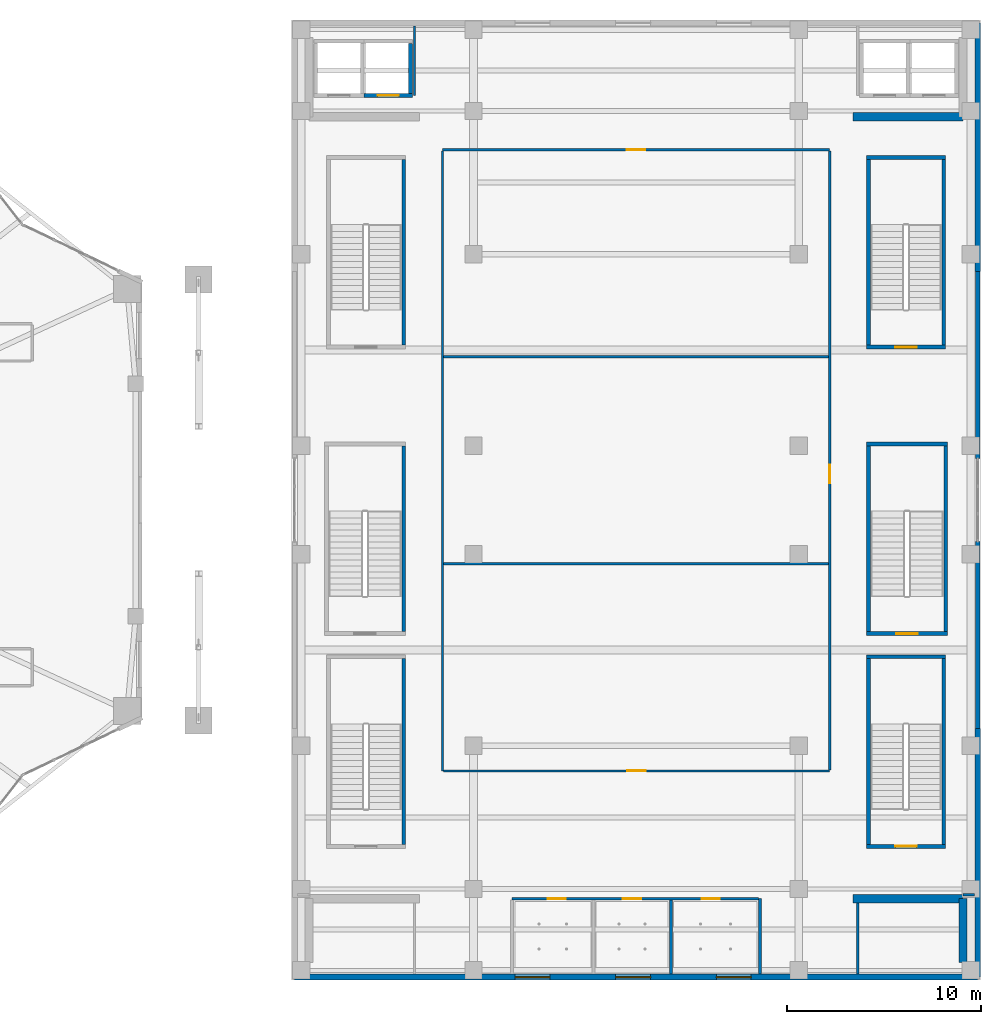
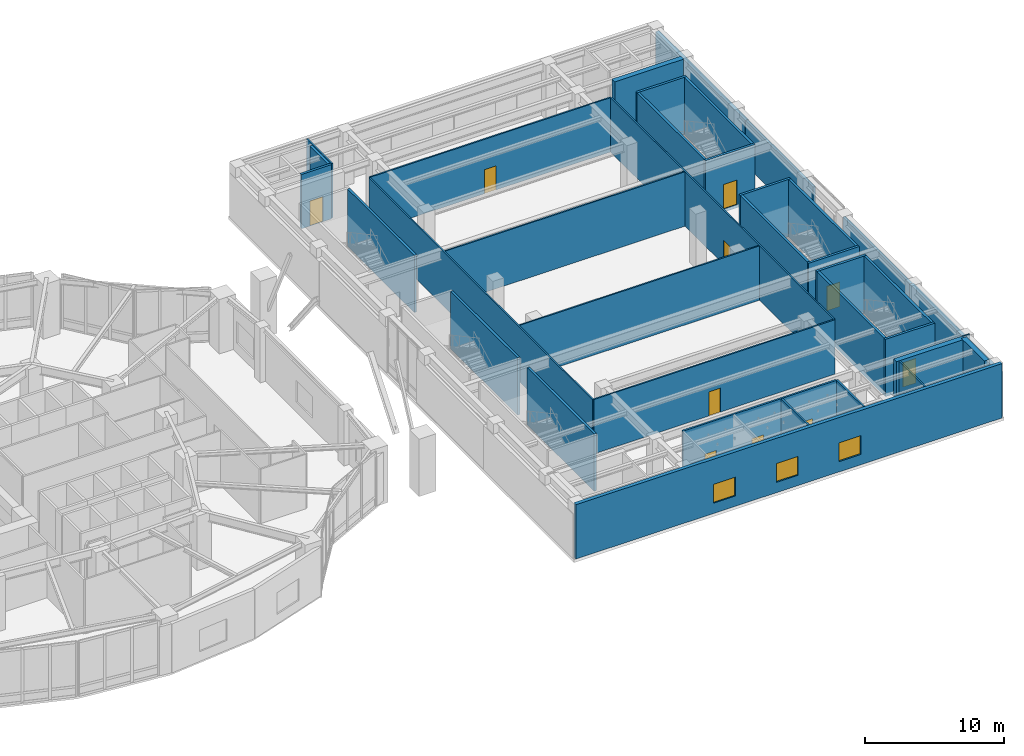
# One storey, part 18 of 24: 37 walls, 10 doors, 3 windows, 13 openings.
"""IFC4 building model written with IfcOpenShell, lengths in metres."""

from ifc_helpers import new_model, si_unit, direction, frame, frame_2d, origin, place, context, subcontext, project, spatial, rectangle, extrude, material, layer, layer_set, type_object, element, fill, save


model = new_model("IFC4")

# Units and contexts
model_context = context("Model", 3, precision=1e-05, world=origin(), true_north=direction((0.0, 1.0)))
body_context = subcontext(model_context, "Body", "Model", "MODEL_VIEW")
ifc_project = project(units=[si_unit("LENGTHUNIT", "METRE"), si_unit("AREAUNIT", "SQUARE_METRE"), si_unit("VOLUMEUNIT", "CUBIC_METRE"), si_unit("PLANEANGLEUNIT", "RADIAN"), si_unit("MASSUNIT", "GRAM", prefix="KILO")], contexts=[model_context])

# Site, building, storey
site_placement = place(None, origin())
site = spatial("IfcSite", under=ifc_project, at=site_placement, CompositionType="ELEMENT")
building_placement = place(site_placement, origin())
building = spatial("IfcBuilding", under=site, at=building_placement, Name="Kolvaren Gate Tower and Convention Centre", CompositionType="ELEMENT")
storey_placement = place(building_placement, frame((0.0, 0.0, 10.0)))
storey = spatial("IfcBuildingStorey", under=building, at=storey_placement, Name="L02", CompositionType="ELEMENT", Elevation=10.0)

# Walls
ifc_material_1 = material(Name="Fire-Rated Acoustic Gypsum Stud Partition", Category="gypsum")
ifc_layer_1 = layer(ifc_material_1, 0.1201171875)
ifc_layer_set_1 = layer_set([ifc_layer_1], Name="Fire-Rated Acoustic Gypsum Stud Partition")
wall_type_1 = type_object("IfcWallType", Name="ARCH-WL-PART-120", PredefinedType="PARTITIONING", material=ifc_layer_set_1)
wall_1_placement = place(storey_placement, frame((96.89990234375, 6.60009765625, 0.0), z_axis=(0.0, 0.0, 1.0), x_axis=(1.0, 0.0, 0.0)))
element("IfcWall", 1, at=wall_1_placement, inside=storey, type_object=wall_type_1, Name="Interior Partition WL-L02-INT-048", PredefinedType="PARTITIONING", context=body_context, shape_type="SweptSolid", body=[
    extrude(rectangle(XDim=0.59814453125, YDim=0.1201171875, at=frame_2d((0.299072265625, 0.0))), origin(), (0.0, 0.0, 1.0), 4.760009765625),
])
wall_2_placement = place(storey_placement, frame((68.550048828125, 47.89990234375, 0.0), z_axis=(0.0, 0.0, 1.0), x_axis=(0.0, 1.0, 0.0)))
element("IfcWall", 2, at=wall_2_placement, inside=storey, type_object=wall_type_1, Name="Interior Partition WL-L02-INT-050", PredefinedType="PARTITIONING", context=body_context, shape_type="SweptSolid", body=[
    extrude(rectangle(XDim=3.59814453125, YDim=0.1201171875, at=frame_2d((1.799072265625, 0.0))), origin(), (0.0, 0.0, 1.0), 4.760009765625),
])
wall_3_placement = place(storey_placement, frame((91.449951171875, 2.501953125, 0.0), z_axis=(0.0, 0.0, 1.0), x_axis=(0.0, 1.0, 0.0)))
element("IfcWall", 3, at=wall_3_placement, inside=storey, type_object=wall_type_1, Name="Interior Partition WL-L02-INT-051", PredefinedType="PARTITIONING", context=body_context, shape_type="SweptSolid", body=[
    extrude(rectangle(XDim=3.68603515625, YDim=0.1201171875, at=frame_2d((1.843017578125, 0.0))), origin(), (0.0, 0.0, 1.0), 4.760009765625),
])

# Wall, opening, door
wall_4_placement = place(storey_placement, frame((70.0, 45.10009765625, 0.0), z_axis=(0.0, 0.0, 1.0), x_axis=(1.0, 0.0, 0.0)))
wall_4 = element("IfcWall", 4, at=wall_4_placement, inside=storey, type_object=wall_type_1, Name="Interior Partition WL-L02-INT-056", PredefinedType="PARTITIONING", context=body_context, shape_type="SweptSolid", body=[
    extrude(rectangle(XDim=20.0, YDim=0.1201171875, at=frame_2d((10.0, 0.0))), origin(), (0.0, 0.0, 1.0), 4.760009765625),
])
opening_1_placement = place(wall_4_placement, frame((9.52490234375, 0.0, 0.0)))
opening_1 = element("IfcOpeningElement", 5, at=opening_1_placement, cuts=wall_4, Name="Opening DR-01", PredefinedType="OPENING", context=body_context, shape_type="SweptSolid", body=[
    extrude(rectangle(XDim=0.949951171875, YDim=2.10009765625, at=frame_2d((0.47509765625, 1.050048828125))), frame((0.0, 0.070068359375, 0.0), z_axis=(0.0, -1.0, 0.0), x_axis=(1.0, 0.0, 0.0)), (0.0, 0.0, 1.0), 0.14013671875),
])
ifc_material_2 = material(Name="Painted Architectural Steelwork ASTM A500 Grade C 345 MPa", Category="steel")
door_type_1 = type_object("IfcDoorType", Name="ARCH-DR-RISER-950", OperationType="SINGLE_SWING_RIGHT", PredefinedType="DOOR", material=ifc_material_2)
door_1_placement = place(opening_1_placement, origin())
door_1 = element("IfcDoor", 6, at=door_1_placement, inside=storey, type_object=door_type_1, Name="Simultaneous Interpretation Conference Room 3 Door", OperationType="SINGLE_SWING_LEFT", OverallHeight=2.10009765625, OverallWidth=0.949951171875, PredefinedType="DOOR", context=body_context, shape_type="SweptSolid", body=[
    extrude(rectangle(XDim=0.949951171875, YDim=2.10009765625, at=frame_2d((0.47509765625, 1.050048828125))), frame((0.0, 0.02490234375, 0.0), z_axis=(0.0, -1.0, 0.0), x_axis=(1.0, 0.0, 0.0)), (0.0, 0.0, 1.0), 0.050048828125),
])
fill(opening_1, door_1)

# Wall
wall_5_placement = place(storey_placement, frame((70.0, 13.0, 0.0), z_axis=(0.0, 0.0, 1.0), x_axis=(0.0, 1.0, 0.0)))
element("IfcWall", 7, at=wall_5_placement, inside=storey, type_object=wall_type_1, Name="Interior Partition WL-L02-INT-057", PredefinedType="PARTITIONING", context=body_context, shape_type="SweptSolid", body=[
    extrude(rectangle(XDim=32.0380859375, YDim=0.1201171875, at=frame_2d((16.01904296875, 0.0))), origin(), (0.0, 0.0, 1.0), 4.760009765625),
])

# Wall, opening, door
wall_6_placement = place(storey_placement, frame((70.06201171875, 13.0, 0.0), z_axis=(0.0, 0.0, 1.0), x_axis=(1.0, 0.0, 0.0)))
wall_6 = element("IfcWall", 8, at=wall_6_placement, inside=storey, type_object=wall_type_1, Name="Interior Partition WL-L02-INT-058", PredefinedType="PARTITIONING", context=body_context, shape_type="SweptSolid", body=[
    extrude(rectangle(XDim=19.93798828125, YDim=0.1201171875, at=frame_2d((9.968994140625, 0.0))), origin(), (0.0, 0.0, 1.0), 4.760009765625),
])
opening_2_placement = place(wall_6_placement, frame((9.493896484375, 0.0, 0.0)))
opening_2 = element("IfcOpeningElement", 9, at=opening_2_placement, cuts=wall_6, Name="Opening DR-01", PredefinedType="OPENING", context=body_context, shape_type="SweptSolid", body=[
    extrude(rectangle(XDim=0.949951171875, YDim=2.10009765625, at=frame_2d((0.47509765625, 1.050048828125))), frame((0.0, 0.070068359375, 0.0), z_axis=(0.0, -1.0, 0.0), x_axis=(1.0, 0.0, 0.0)), (0.0, 0.0, 1.0), 0.14013671875),
])
door_2_placement = place(opening_2_placement, origin())
door_2 = element("IfcDoor", 10, at=door_2_placement, inside=storey, type_object=door_type_1, Name="Simultaneous Interpretation Conference Room 1 Door", OperationType="SINGLE_SWING_LEFT", OverallHeight=2.10009765625, OverallWidth=0.949951171875, PredefinedType="DOOR", context=body_context, shape_type="SweptSolid", body=[
    extrude(rectangle(XDim=0.949951171875, YDim=2.10009765625, at=frame_2d((0.47509765625, 1.050048828125))), frame((0.0, 0.02490234375, 0.0), z_axis=(0.0, -1.0, 0.0), x_axis=(1.0, 0.0, 0.0)), (0.0, 0.0, 1.0), 0.050048828125),
])
fill(opening_2, door_2)

wall_7_placement = place(storey_placement, frame((90.0, 13.06201171875, 0.0), z_axis=(0.0, 0.0, 1.0), x_axis=(0.0, 1.0, 0.0)))
wall_7 = element("IfcWall", 11, at=wall_7_placement, inside=storey, type_object=wall_type_1, Name="Interior Partition WL-L02-INT-059", PredefinedType="PARTITIONING", context=body_context, shape_type="SweptSolid", body=[
    extrude(rectangle(XDim=31.97607421875, YDim=0.1201171875, at=frame_2d((15.988037109375, 0.0))), origin(), (0.0, 0.0, 1.0), 4.760009765625),
])
opening_3_placement = place(wall_7_placement, frame((14.81298828125, 0.0, 0.0)))
opening_3 = element("IfcOpeningElement", 12, at=opening_3_placement, cuts=wall_7, Name="Opening DR-01", PredefinedType="OPENING", context=body_context, shape_type="SweptSolid", body=[
    extrude(rectangle(XDim=0.949951171875, YDim=2.10009765625, at=frame_2d((0.47509765625, 1.050048828125))), frame((0.0, 0.070068359375, 0.0), z_axis=(0.0, -1.0, 0.0), x_axis=(1.0, 0.0, 0.0)), (0.0, 0.0, 1.0), 0.14013671875),
])
door_3_placement = place(opening_3_placement, origin())
door_3 = element("IfcDoor", 13, at=door_3_placement, inside=storey, type_object=door_type_1, Name="Simultaneous Interpretation Conference Room 2 Door", OperationType="SINGLE_SWING_RIGHT", OverallHeight=2.10009765625, OverallWidth=0.949951171875, PredefinedType="DOOR", context=body_context, shape_type="SweptSolid", body=[
    extrude(rectangle(XDim=0.949951171875, YDim=2.10009765625, at=frame_2d((0.47509765625, 1.050048828125))), frame((0.0, 0.02490234375, 0.0), z_axis=(0.0, -1.0, 0.0), x_axis=(1.0, 0.0, 0.0)), (0.0, 0.0, 1.0), 0.050048828125),
])
fill(opening_3, door_3)

# Walls
for number, where, z_axis, x_axis, name in (
    (14, (70.06201171875, 23.699951171875, 0.0), (0.0, 0.0, 1.0), (1.0, 0.0, 0.0), "Interior Partition WL-L02-INT-062"),
    (15, (70.06201171875, 34.39990234375, 0.0), (0.0, 0.0, 1.0), (1.0, 0.0, 0.0), "Interior Partition WL-L02-INT-063"),
):
    element("IfcWall", number, at=place(storey_placement, frame(where, z_axis=z_axis, x_axis=x_axis)), inside=storey, type_object=wall_type_1, Name=name, PredefinedType="PARTITIONING", context=body_context, shape_type="SweptSolid", body=[
        extrude(rectangle(XDim=19.8759765625, YDim=0.1201171875, at=frame_2d((9.93798828125, 0.0))), origin(), (0.0, 0.0, 1.0), 4.760009765625),
    ])
ifc_material_3 = material(Name="Bogota Sabana Bush-Hammered Sandstone Cladding", Category="masonry")
ifc_layer_2 = layer(ifc_material_3, 0.219970703125)
ifc_layer_set_2 = layer_set([ifc_layer_2], Name="Bogota Sabana Bush-Hammered Sandstone Cladding")
wall_type_2 = type_object("IfcWallType", Name="ARCH-WL-PIER-220", PredefinedType="SOLIDWALL", material=ifc_layer_set_2)
for number, where, z_axis, x_axis, name in (
    (16, (97.64990234375, 15.199951171875, 0.0), (0.0, 0.0, 1.0), (0.0, 1.0, 0.0), "Convention L02 E Foyer Curtain Wall CW-CC-L02-E Left Column Pier Wrap"),
    (17, (97.64990234375, 29.139892578125, 0.0), (0.0, 0.0, 1.0), (0.0, 1.0, 0.0), "Convention L02 E Foyer Curtain Wall CW-CC-L02-E Right Column Pier Wrap"),
):
    element("IfcWall", number, at=place(storey_placement, frame(where, z_axis=z_axis, x_axis=x_axis)), inside=storey, type_object=wall_type_2, Name=name, PredefinedType="SOLIDWALL", context=body_context, shape_type="SweptSolid", body=[
        extrude(rectangle(XDim=9.66015625, YDim=0.219970703125, at=frame_2d((4.830078125, 0.0))), origin(), (0.0, 0.0, 1.0), 3.89697265625),
    ])

# Wall, opening, door
ifc_material_4 = material(Name="Autoclaved Aerated Masonry Blockwork Class 4 (4.0 MPa)", Category="masonry")
ifc_layer_3 = layer(ifc_material_4, 0.199951171875)
ifc_layer_set_3 = layer_set([ifc_layer_3], Name="Autoclaved Aerated Masonry Blockwork Class 4 (4.0 MPa)")
wall_type_3 = type_object("IfcWallType", Name="ARCH-WL-SHAFT-200", PredefinedType="SOLIDWALL", material=ifc_layer_set_3)
wall_8_placement = place(storey_placement, frame((65.949951171875, 47.89990234375, 0.0), z_axis=(0.0, 0.0, 1.0), x_axis=(1.0, 0.0, 0.0)))
wall_8 = element("IfcWall", 18, at=wall_8_placement, inside=storey, type_object=wall_type_3, Name="Elevator CL-02 L02 Fire Shaft Wall S", PredefinedType="SOLIDWALL", context=body_context, shape_type="SweptSolid", body=[
    extrude(rectangle(XDim=2.5, YDim=0.199951171875, at=frame_2d((1.25, 0.0))), origin(), (0.0, 0.0, 1.0), 4.760009765625),
])
opening_4_placement = place(wall_8_placement, frame((0.699951171875, 0.0, 0.0)))
opening_4 = element("IfcOpeningElement", 19, at=opening_4_placement, cuts=wall_8, Name="Opening LD", PredefinedType="OPENING", context=body_context, shape_type="SweptSolid", body=[
    extrude(rectangle(XDim=1.10009765625, YDim=2.199951171875, at=frame_2d((0.550048828125, 1.10009765625))), frame((0.0, 0.10986328125, 0.0), z_axis=(0.0, -1.0, 0.0), x_axis=(1.0, 0.0, 0.0)), (0.0, 0.0, 1.0), 0.219970703125),
])
ifc_material_5 = material(Name="Brushed Stainless Steel Grade 316L", Category="steel")
door_type_2 = type_object("IfcDoorType", Name="ARCH-DR-LIFT-1100", OperationType="SLIDING_TO_LEFT", PredefinedType="DOOR", material=ifc_material_5)
door_4_placement = place(opening_4_placement, origin())
door_4 = element("IfcDoor", 20, at=door_4_placement, inside=storey, type_object=door_type_2, Name="Elevator CL-02 L02 Sliding Landing Door", OperationType="SLIDING_TO_LEFT", OverallHeight=2.199951171875, OverallWidth=1.10009765625, PredefinedType="DOOR", context=body_context, shape_type="SweptSolid", body=[
    extrude(rectangle(XDim=1.10009765625, YDim=2.199951171875, at=frame_2d((0.550048828125, 1.10009765625))), frame((0.0, 0.02490234375, 0.0), z_axis=(0.0, -1.0, 0.0), x_axis=(1.0, 0.0, 0.0)), (0.0, 0.0, 1.0), 0.050048828125),
])
fill(opening_4, door_4)

# Wall
wall_9_placement = place(storey_placement, frame((68.35009765625, 48.010009765625, 0.0), z_axis=(0.0, 0.0, 1.0), x_axis=(0.0, 1.0, 0.0)))
element("IfcWall", 21, at=wall_9_placement, inside=storey, type_object=wall_type_3, Name="Elevator CL-02 L02 Fire Shaft Wall E", PredefinedType="SOLIDWALL", context=body_context, shape_type="SweptSolid", body=[
    extrude(rectangle(XDim=2.580078125, YDim=0.199951171875, at=frame_2d((1.2900390625, 0.0))), origin(), (0.0, 0.0, 1.0), 4.760009765625),
])

# Wall, openings, windows
ifc_material_6 = material(Name="Piedmont Cream Honed Limestone Cladding", Category="masonry")
ifc_layer_4 = layer(ifc_material_6, 0.300048828125)
ifc_layer_set_4 = layer_set([ifc_layer_4], Name="Piedmont Cream Honed Limestone Cladding")
wall_type_4 = type_object("IfcWallType", Name="ARCH-WL-STONE-300", PredefinedType="SOLIDWALL", material=ifc_layer_set_4)
wall_10_placement = place(storey_placement, frame((62.35009765625, 2.35009765625, 0.0), z_axis=(0.0, 0.0, 1.0), x_axis=(1.0, 0.0, 0.0)))
wall_10 = element("IfcWall", 22, at=wall_10_placement, inside=storey, type_object=wall_type_4, Name="Convention Centre L02 S Stone Facade Wall", PredefinedType="SOLIDWALL", context=body_context, shape_type="SweptSolid", body=[
    extrude(rectangle(XDim=35.2998046875, YDim=0.300048828125, at=frame_2d((17.64990234375, 0.0))), origin(), (0.0, 0.0, 1.0), 4.760009765625),
])
opening_5_placement = place(wall_10_placement, frame((11.39990234375, 0.0, 0.89990234375)))
opening_5 = element("IfcOpeningElement", 23, at=opening_5_placement, cuts=wall_10, Name="Opening W-05", PredefinedType="OPENING", context=body_context, shape_type="SweptSolid", body=[
    extrude(rectangle(XDim=1.800048828125, YDim=1.64990234375, at=frame_2d((0.89990234375, 0.824951171875))), frame((0.0, 0.159912109375, 0.0), z_axis=(0.0, -1.0, 0.0), x_axis=(1.0, 0.0, 0.0)), (0.0, 0.0, 1.0), 0.320068359375),
])
opening_6_placement = place(wall_10_placement, frame((16.60009765625, 0.0, 0.89990234375)))
opening_6 = element("IfcOpeningElement", 24, at=opening_6_placement, cuts=wall_10, Name="Opening W-05", PredefinedType="OPENING", context=body_context, shape_type="SweptSolid", body=[
    extrude(rectangle(XDim=1.800048828125, YDim=1.64990234375, at=frame_2d((0.89990234375, 0.824951171875))), frame((0.0, 0.159912109375, 0.0), z_axis=(0.0, -1.0, 0.0), x_axis=(1.0, 0.0, 0.0)), (0.0, 0.0, 1.0), 0.320068359375),
])
opening_7_placement = place(wall_10_placement, frame((21.800048828125, 0.0, 0.89990234375)))
opening_7 = element("IfcOpeningElement", 25, at=opening_7_placement, cuts=wall_10, Name="Opening W-05", PredefinedType="OPENING", context=body_context, shape_type="SweptSolid", body=[
    extrude(rectangle(XDim=1.800048828125, YDim=1.64990234375, at=frame_2d((0.89990234375, 0.824951171875))), frame((0.0, 0.159912109375, 0.0), z_axis=(0.0, -1.0, 0.0), x_axis=(1.0, 0.0, 0.0)), (0.0, 0.0, 1.0), 0.320068359375),
])
ifc_material_7 = material(Name="Low-E Triple Insulated Glazing Unit 44 mm", Category="glass")
window_type = type_object("IfcWindowType", Name="ARCH-WN-CONV-1800", PartitioningType="SINGLE_PANEL", PredefinedType="WINDOW", material=ifc_material_7)
window_1_placement = place(opening_5_placement, origin())
window_1 = element("IfcWindow", 26, at=window_1_placement, inside=storey, type_object=window_type, Name="Convention L02 S Clerestory Window CW-1", OverallHeight=1.64990234375, OverallWidth=1.800048828125, PartitioningType="SINGLE_PANEL", PredefinedType="WINDOW", context=body_context, shape_type="SweptSolid", body=[
    extrude(rectangle(XDim=1.800048828125, YDim=1.64990234375, at=frame_2d((0.89990234375, 0.824951171875))), frame((0.0, 0.030029296875, 0.0), z_axis=(0.0, -1.0, 0.0), x_axis=(1.0, 0.0, 0.0)), (0.0, 0.0, 1.0), 0.06005859375),
])
fill(opening_5, window_1)
window_2_placement = place(opening_6_placement, origin())
window_2 = element("IfcWindow", 27, at=window_2_placement, inside=storey, type_object=window_type, Name="Convention L02 S Clerestory Window CW-2", OverallHeight=1.64990234375, OverallWidth=1.800048828125, PartitioningType="SINGLE_PANEL", PredefinedType="WINDOW", context=body_context, shape_type="SweptSolid", body=[
    extrude(rectangle(XDim=1.800048828125, YDim=1.64990234375, at=frame_2d((0.89990234375, 0.824951171875))), frame((0.0, 0.030029296875, 0.0), z_axis=(0.0, -1.0, 0.0), x_axis=(1.0, 0.0, 0.0)), (0.0, 0.0, 1.0), 0.06005859375),
])
fill(opening_6, window_2)
window_3_placement = place(opening_7_placement, origin())
window_3 = element("IfcWindow", 28, at=window_3_placement, inside=storey, type_object=window_type, Name="Convention L02 S Clerestory Window CW-3", OverallHeight=1.64990234375, OverallWidth=1.800048828125, PartitioningType="SINGLE_PANEL", PredefinedType="WINDOW", context=body_context, shape_type="SweptSolid", body=[
    extrude(rectangle(XDim=1.800048828125, YDim=1.64990234375, at=frame_2d((0.89990234375, 0.824951171875))), frame((0.0, 0.030029296875, 0.0), z_axis=(0.0, -1.0, 0.0), x_axis=(1.0, 0.0, 0.0)), (0.0, 0.0, 1.0), 0.06005859375),
])
fill(opening_7, window_3)

# Walls
for number, where, z_axis, x_axis, name in (
    (29, (97.64990234375, 2.35009765625, 0.0), (0.0, 0.0, 1.0), (0.0, 1.0, 0.0), "Convention L02 E Stone Wing Wall South"),
    (30, (97.64990234375, 38.800048828125, 0.0), (0.0, 0.0, 1.0), (0.0, 1.0, 0.0), "Convention L02 E Stone Wing Wall North"),
):
    element("IfcWall", number, at=place(storey_placement, frame(where, z_axis=z_axis, x_axis=x_axis)), inside=storey, type_object=wall_type_4, Name=name, PredefinedType="SOLIDWALL", context=body_context, shape_type="SweptSolid", body=[
        extrude(rectangle(XDim=12.849853515625, YDim=0.300048828125, at=frame_2d((6.4248046875, 0.0))), origin(), (0.0, 0.0, 1.0), 3.89697265625),
    ])
ifc_material_8 = material(Name="Moisture-Resistant Cement-Board Acoustic Partition", Category="gypsum")
ifc_layer_5 = layer(ifc_material_8, 0.14990234375)
ifc_layer_set_5 = layer_set([ifc_layer_5], Name="Moisture-Resistant Cement-Board Acoustic Partition")
wall_type_5 = type_object("IfcWallType", Name="ARCH-WL-WET-150", PredefinedType="PARTITIONING", material=ifc_layer_set_5)
wall_11_placement = place(storey_placement, frame((86.39990234375, 2.501953125, 0.0), z_axis=(0.0, 0.0, 1.0), x_axis=(0.0, 1.0, 0.0)))
element("IfcWall", 31, at=wall_11_placement, inside=storey, type_object=wall_type_5, Name="Interior Partition WL-L02-INT-053", PredefinedType="PARTITIONING", context=body_context, shape_type="SweptSolid", body=[
    extrude(rectangle(XDim=3.89794921875, YDim=0.14990234375, at=frame_2d((1.948974609375, 0.0))), origin(), (0.0, 0.0, 1.0), 4.760009765625),
])

# Wall, openings, doors
wall_12_placement = place(storey_placement, frame((73.60009765625, 6.39990234375, 0.0), z_axis=(0.0, 0.0, 1.0), x_axis=(1.0, 0.0, 0.0)))
wall_12 = element("IfcWall", 32, at=wall_12_placement, inside=storey, type_object=wall_type_5, Name="Interior Partition WL-L02-INT-054", PredefinedType="PARTITIONING", context=body_context, shape_type="SweptSolid", body=[
    extrude(rectangle(XDim=12.722900390625, YDim=0.14990234375, at=frame_2d((6.361328125, 0.0))), origin(), (0.0, 0.0, 1.0), 4.760009765625),
])
opening_8_placement = place(wall_12_placement, frame((1.830078125, 0.0, 0.0)))
opening_8 = element("IfcOpeningElement", 33, at=opening_8_placement, cuts=wall_12, Name="Opening DR-01", PredefinedType="OPENING", context=body_context, shape_type="SweptSolid", body=[
    extrude(rectangle(XDim=0.949951171875, YDim=2.10009765625, at=frame_2d((0.47509765625, 1.050048828125))), frame((0.0, 0.0849609375, 0.0), z_axis=(0.0, -1.0, 0.0), x_axis=(1.0, 0.0, 0.0)), (0.0, 0.0, 1.0), 0.169921875),
])
opening_9_placement = place(wall_12_placement, frame((5.72509765625, 0.0, 0.0)))
opening_9 = element("IfcOpeningElement", 34, at=opening_9_placement, cuts=wall_12, Name="Opening DR-01", PredefinedType="OPENING", context=body_context, shape_type="SweptSolid", body=[
    extrude(rectangle(XDim=0.949951171875, YDim=2.10009765625, at=frame_2d((0.47509765625, 1.050048828125))), frame((0.0, 0.0849609375, 0.0), z_axis=(0.0, -1.0, 0.0), x_axis=(1.0, 0.0, 0.0)), (0.0, 0.0, 1.0), 0.169921875),
])
opening_10_placement = place(wall_12_placement, frame((9.781494140625, 0.0, 0.0)))
opening_10 = element("IfcOpeningElement", 35, at=opening_10_placement, cuts=wall_12, Name="Opening DR-01", PredefinedType="OPENING", context=body_context, shape_type="SweptSolid", body=[
    extrude(rectangle(XDim=0.949951171875, YDim=2.10009765625, at=frame_2d((0.47509765625, 1.050048828125))), frame((0.0, 0.0849609375, 0.0), z_axis=(0.0, -1.0, 0.0), x_axis=(1.0, 0.0, 0.0)), (0.0, 0.0, 1.0), 0.169921875),
])
door_5_placement = place(opening_8_placement, origin())
door_5 = element("IfcDoor", 36, at=door_5_placement, inside=storey, type_object=door_type_1, Name="Convention L02 Delegate Male Restroom Door", OperationType="SINGLE_SWING_RIGHT", OverallHeight=2.10009765625, OverallWidth=0.949951171875, PredefinedType="DOOR", context=body_context, shape_type="SweptSolid", body=[
    extrude(rectangle(XDim=0.949951171875, YDim=2.10009765625, at=frame_2d((0.47509765625, 1.050048828125))), frame((0.0, 0.02490234375, 0.0), z_axis=(0.0, -1.0, 0.0), x_axis=(1.0, 0.0, 0.0)), (0.0, 0.0, 1.0), 0.050048828125),
])
fill(opening_8, door_5)
door_6_placement = place(opening_9_placement, origin())
door_6 = element("IfcDoor", 37, at=door_6_placement, inside=storey, type_object=door_type_1, Name="Convention L02 Accessible Restroom Door", OperationType="SINGLE_SWING_LEFT", OverallHeight=2.10009765625, OverallWidth=0.949951171875, PredefinedType="DOOR", context=body_context, shape_type="SweptSolid", body=[
    extrude(rectangle(XDim=0.949951171875, YDim=2.10009765625, at=frame_2d((0.47509765625, 1.050048828125))), frame((0.0, 0.02490234375, 0.0), z_axis=(0.0, -1.0, 0.0), x_axis=(1.0, 0.0, 0.0)), (0.0, 0.0, 1.0), 0.050048828125),
])
fill(opening_9, door_6)
door_7_placement = place(opening_10_placement, origin())
door_7 = element("IfcDoor", 38, at=door_7_placement, inside=storey, type_object=door_type_1, Name="Convention L02 Delegate Female Restroom Door", OperationType="SINGLE_SWING_RIGHT", OverallHeight=2.10009765625, OverallWidth=0.949951171875, PredefinedType="DOOR", context=body_context, shape_type="SweptSolid", body=[
    extrude(rectangle(XDim=0.949951171875, YDim=2.10009765625, at=frame_2d((0.47509765625, 1.050048828125))), frame((0.0, 0.02490234375, 0.0), z_axis=(0.0, -1.0, 0.0), x_axis=(1.0, 0.0, 0.0)), (0.0, 0.0, 1.0), 0.050048828125),
])
fill(opening_10, door_7)

# Walls
wall_13_placement = place(storey_placement, frame((81.800048828125, 2.501953125, 0.0), z_axis=(0.0, 0.0, 1.0), x_axis=(0.0, 1.0, 0.0)))
element("IfcWall", 39, at=wall_13_placement, inside=storey, type_object=wall_type_5, Name="Interior Partition WL-L02-INT-061", PredefinedType="PARTITIONING", context=body_context, shape_type="SweptSolid", body=[
    extrude(rectangle(XDim=3.821044921875, YDim=0.14990234375, at=frame_2d((1.91064453125, 0.0))), origin(), (0.0, 0.0, 1.0), 4.760009765625),
])
ifc_material_9 = material(Name="Concrete C50/60", Category="concrete")
ifc_layer_6 = layer(ifc_material_9, 0.419921875)
ifc_layer_set_6 = layer_set([ifc_layer_6], Name="Concrete C50/60")
wall_type_6 = type_object("IfcWallType", Name="STR-WL-CONV-420", PredefinedType="SHEAR", material=ifc_layer_set_6)
wall_14_placement = place(storey_placement, frame((91.199951171875, 46.800048828125, -0.260009765625), z_axis=(0.0, 0.0, 1.0), x_axis=(1.0, 0.0, 0.0)))
element("IfcWall", 40, at=wall_14_placement, inside=storey, type_object=wall_type_6, Name="Convention L02 Shear Core Wall CCNE-S", PredefinedType="SHEAR", context=body_context, shape_type="SweptSolid", body=[
    extrude(rectangle(XDim=5.699951171875, YDim=0.419921875, at=frame_2d((2.85009765625, 0.0))), origin(), (0.0, 0.0, 1.0), 5.02001953125),
])
wall_15_placement = place(storey_placement, frame((96.89990234375, 3.10009765625, -0.260009765625), z_axis=(0.0, 0.0, 1.0), x_axis=(0.0, 1.0, 0.0)))
element("IfcWall", 41, at=wall_15_placement, inside=storey, type_object=wall_type_6, Name="Convention L02 Shear Core Wall CCSE-E", PredefinedType="SHEAR", context=body_context, shape_type="SweptSolid", body=[
    extrude(rectangle(XDim=3.2998046875, YDim=0.419921875, at=frame_2d((1.64990234375, 0.0))), origin(), (0.0, 0.0, 1.0), 5.02001953125),
])
wall_16_placement = place(storey_placement, frame((91.199951171875, 6.39990234375, -0.260009765625), z_axis=(0.0, 0.0, 1.0), x_axis=(1.0, 0.0, 0.0)))
element("IfcWall", 42, at=wall_16_placement, inside=storey, type_object=wall_type_6, Name="Convention L02 Shear Core Wall CCSE-N", PredefinedType="SHEAR", context=body_context, shape_type="SweptSolid", body=[
    extrude(rectangle(XDim=5.699951171875, YDim=0.419921875, at=frame_2d((2.85009765625, 0.0))), origin(), (0.0, 0.0, 1.0), 5.02001953125),
])
ifc_layer_7 = layer(ifc_material_9, 0.199951171875)
ifc_layer_set_7 = layer_set([ifc_layer_7], Name="Concrete C50/60")
wall_type_7 = type_object("IfcWallType", Name="STR-WL-SHAFT-200", PredefinedType="SHEAR", material=ifc_layer_set_7)
wall_17_placement = place(storey_placement, frame((68.0, 35.001953125, -0.260009765625), z_axis=(0.0, 0.0, 1.0), x_axis=(0.0, 1.0, 0.0)))
element("IfcWall", 43, at=wall_17_placement, inside=storey, type_object=wall_type_7, Name="Convention NW Exit Stair ST-C1 L02 Structural Shear Enclosure Wall EAST", PredefinedType="SHEAR", context=body_context, shape_type="SweptSolid", body=[
    extrude(rectangle(XDim=9.595947265625, YDim=0.199951171875, at=frame_2d((4.7978515625, 0.0))), origin(), (0.0, 0.0, 1.0), 5.02001953125),
])
wall_18_placement = place(storey_placement, frame((68.0, 9.201904296875, -0.260009765625), z_axis=(0.0, 0.0, 1.0), x_axis=(0.0, 1.0, 0.0)))
element("IfcWall", 44, at=wall_18_placement, inside=storey, type_object=wall_type_7, Name="Convention SW Exit Stair ST-C2 L02 Structural Shear Enclosure Wall EAST", PredefinedType="SHEAR", context=body_context, shape_type="SweptSolid", body=[
    extrude(rectangle(XDim=9.59619140625, YDim=0.199951171875, at=frame_2d((4.798095703125, 0.0))), origin(), (0.0, 0.0, 1.0), 5.02001953125),
])

# Wall, opening, door
wall_19_placement = place(storey_placement, frame((91.89990234375, 34.89990234375, -0.260009765625), z_axis=(0.0, 0.0, 1.0), x_axis=(1.0, 0.0, 0.0)))
wall_19 = element("IfcWall", 45, at=wall_19_placement, inside=storey, type_object=wall_type_7, Name="Convention NE Exit Stair ST-C3 L02 Structural Shear Enclosure Wall NEAR", PredefinedType="SHEAR", context=body_context, shape_type="SweptSolid", body=[
    extrude(rectangle(XDim=4.10009765625, YDim=0.199951171875, at=frame_2d((2.050048828125, 0.0))), origin(), (0.0, 0.0, 1.0), 5.02001953125),
])
opening_11_placement = place(wall_19_placement, frame((1.5, 0.0, 0.260009765625)))
opening_11 = element("IfcOpeningElement", 46, at=opening_11_placement, cuts=wall_19, Name="Opening DS-01", PredefinedType="OPENING", context=body_context, shape_type="SweptSolid", body=[
    extrude(rectangle(XDim=1.10009765625, YDim=2.14990234375, at=frame_2d((0.550048828125, 1.074951171875))), frame((0.0, 0.10986328125, 0.0), z_axis=(0.0, -1.0, 0.0), x_axis=(1.0, 0.0, 0.0)), (0.0, 0.0, 1.0), 0.219970703125),
])
door_type_3 = type_object("IfcDoorType", Name="ARCH-DR-STAIR-1100", OperationType="SINGLE_SWING_LEFT", PredefinedType="DOOR", material=ifc_material_2)
door_8_placement = place(opening_11_placement, origin())
door_8 = element("IfcDoor", 47, at=door_8_placement, inside=storey, type_object=door_type_3, Name="Convention NE Exit Stair ST-C3 L02 Fire Exit Stair Door", OperationType="SINGLE_SWING_RIGHT", OverallHeight=2.14990234375, OverallWidth=1.10009765625, PredefinedType="DOOR", context=body_context, shape_type="SweptSolid", body=[
    extrude(rectangle(XDim=1.10009765625, YDim=2.14990234375, at=frame_2d((0.550048828125, 1.074951171875))), frame((0.0, 0.02490234375, 0.0), z_axis=(0.0, -1.0, 0.0), x_axis=(1.0, 0.0, 0.0)), (0.0, 0.0, 1.0), 0.050048828125),
])
fill(opening_11, door_8)

# Walls
wall_20_placement = place(storey_placement, frame((91.89990234375, 44.699951171875, -0.260009765625), z_axis=(0.0, 0.0, 1.0), x_axis=(1.0, 0.0, 0.0)))
element("IfcWall", 48, at=wall_20_placement, inside=storey, type_object=wall_type_7, Name="Convention NE Exit Stair ST-C3 L02 Structural Shear Enclosure Wall FAR", PredefinedType="SHEAR", context=body_context, shape_type="SweptSolid", body=[
    extrude(rectangle(XDim=4.10009765625, YDim=0.199951171875, at=frame_2d((2.050048828125, 0.0))), origin(), (0.0, 0.0, 1.0), 5.02001953125),
])
for number, where, z_axis, x_axis, name in (
    (49, (92.0, 35.001953125, -0.260009765625), (0.0, 0.0, 1.0), (0.0, 1.0, 0.0), "Convention NE Exit Stair ST-C3 L02 Structural Shear Enclosure Wall WEST"),
    (50, (95.89990234375, 35.001953125, -0.260009765625), (0.0, 0.0, 1.0), (0.0, 1.0, 0.0), "Convention NE Exit Stair ST-C3 L02 Structural Shear Enclosure Wall EAST"),
):
    element("IfcWall", number, at=place(storey_placement, frame(where, z_axis=z_axis, x_axis=x_axis)), inside=storey, type_object=wall_type_7, Name=name, PredefinedType="SHEAR", context=body_context, shape_type="SweptSolid", body=[
        extrude(rectangle(XDim=9.595947265625, YDim=0.199951171875, at=frame_2d((4.7978515625, 0.0))), origin(), (0.0, 0.0, 1.0), 5.02001953125),
    ])

# Wall, opening, door
wall_21_placement = place(storey_placement, frame((91.89990234375, 9.10009765625, -0.260009765625), z_axis=(0.0, 0.0, 1.0), x_axis=(1.0, 0.0, 0.0)))
wall_21 = element("IfcWall", 51, at=wall_21_placement, inside=storey, type_object=wall_type_7, Name="Convention SE Exit Stair ST-C4 L02 Structural Shear Enclosure Wall NEAR", PredefinedType="SHEAR", context=body_context, shape_type="SweptSolid", body=[
    extrude(rectangle(XDim=4.10009765625, YDim=0.199951171875, at=frame_2d((2.050048828125, 0.0))), origin(), (0.0, 0.0, 1.0), 5.02001953125),
])
opening_12_placement = place(wall_21_placement, frame((1.5, 0.0, 0.260009765625)))
opening_12 = element("IfcOpeningElement", 52, at=opening_12_placement, cuts=wall_21, Name="Opening DS-01", PredefinedType="OPENING", context=body_context, shape_type="SweptSolid", body=[
    extrude(rectangle(XDim=1.10009765625, YDim=2.14990234375, at=frame_2d((0.550048828125, 1.074951171875))), frame((0.0, 0.10986328125, 0.0), z_axis=(0.0, -1.0, 0.0), x_axis=(1.0, 0.0, 0.0)), (0.0, 0.0, 1.0), 0.219970703125),
])
door_9_placement = place(opening_12_placement, origin())
door_9 = element("IfcDoor", 53, at=door_9_placement, inside=storey, type_object=door_type_3, Name="Convention SE Exit Stair ST-C4 L02 Fire Exit Stair Door", OperationType="SINGLE_SWING_RIGHT", OverallHeight=2.14990234375, OverallWidth=1.10009765625, PredefinedType="DOOR", context=body_context, shape_type="SweptSolid", body=[
    extrude(rectangle(XDim=1.10009765625, YDim=2.14990234375, at=frame_2d((0.550048828125, 1.074951171875))), frame((0.0, 0.02490234375, 0.0), z_axis=(0.0, -1.0, 0.0), x_axis=(1.0, 0.0, 0.0)), (0.0, 0.0, 1.0), 0.050048828125),
])
fill(opening_12, door_9)

# Walls
wall_22_placement = place(storey_placement, frame((91.89990234375, 18.89990234375, -0.260009765625), z_axis=(0.0, 0.0, 1.0), x_axis=(1.0, 0.0, 0.0)))
element("IfcWall", 54, at=wall_22_placement, inside=storey, type_object=wall_type_7, Name="Convention SE Exit Stair ST-C4 L02 Structural Shear Enclosure Wall FAR", PredefinedType="SHEAR", context=body_context, shape_type="SweptSolid", body=[
    extrude(rectangle(XDim=4.10009765625, YDim=0.199951171875, at=frame_2d((2.050048828125, 0.0))), origin(), (0.0, 0.0, 1.0), 5.02001953125),
])
for number, where, z_axis, x_axis, name in (
    (55, (92.0, 9.201904296875, -0.260009765625), (0.0, 0.0, 1.0), (0.0, 1.0, 0.0), "Convention SE Exit Stair ST-C4 L02 Structural Shear Enclosure Wall WEST"),
    (56, (95.89990234375, 9.201904296875, -0.260009765625), (0.0, 0.0, 1.0), (0.0, 1.0, 0.0), "Convention SE Exit Stair ST-C4 L02 Structural Shear Enclosure Wall EAST"),
    (57, (68.0, 20.201904296875, -0.260009765625), (0.0, 0.0, 1.0), (0.0, 1.0, 0.0), "Convention West Assembly Stair ST-C5 L02 Structural Shear Enclosure Wall EAST"),
):
    element("IfcWall", number, at=place(storey_placement, frame(where, z_axis=z_axis, x_axis=x_axis)), inside=storey, type_object=wall_type_7, Name=name, PredefinedType="SHEAR", context=body_context, shape_type="SweptSolid", body=[
        extrude(rectangle(XDim=9.59619140625, YDim=0.199951171875, at=frame_2d((4.798095703125, 0.0))), origin(), (0.0, 0.0, 1.0), 5.02001953125),
    ])

# Wall, opening, door
wall_23_placement = place(storey_placement, frame((91.89990234375, 20.10009765625, -0.260009765625), z_axis=(0.0, 0.0, 1.0), x_axis=(1.0, 0.0, 0.0)))
wall_23 = element("IfcWall", 58, at=wall_23_placement, inside=storey, type_object=wall_type_7, Name="Convention East Assembly Stair ST-C6 L02 Structural Shear Enclosure Wall NEAR", PredefinedType="SHEAR", context=body_context, shape_type="SweptSolid", body=[
    extrude(rectangle(XDim=4.2001953125, YDim=0.199951171875, at=frame_2d((2.10009765625, 0.0))), origin(), (0.0, 0.0, 1.0), 5.02001953125),
])
opening_13_placement = place(wall_23_placement, frame((1.550048828125, 0.0, 0.260009765625)))
opening_13 = element("IfcOpeningElement", 59, at=opening_13_placement, cuts=wall_23, Name="Opening DS-01", PredefinedType="OPENING", context=body_context, shape_type="SweptSolid", body=[
    extrude(rectangle(XDim=1.10009765625, YDim=2.14990234375, at=frame_2d((0.550048828125, 1.074951171875))), frame((0.0, 0.10986328125, 0.0), z_axis=(0.0, -1.0, 0.0), x_axis=(1.0, 0.0, 0.0)), (0.0, 0.0, 1.0), 0.219970703125),
])
door_10_placement = place(opening_13_placement, origin())
door_10 = element("IfcDoor", 60, at=door_10_placement, inside=storey, type_object=door_type_3, Name="Convention East Assembly Stair ST-C6 L02 Fire Exit Stair Door", OperationType="SINGLE_SWING_RIGHT", OverallHeight=2.14990234375, OverallWidth=1.10009765625, PredefinedType="DOOR", context=body_context, shape_type="SweptSolid", body=[
    extrude(rectangle(XDim=1.10009765625, YDim=2.14990234375, at=frame_2d((0.550048828125, 1.074951171875))), frame((0.0, 0.02490234375, 0.0), z_axis=(0.0, -1.0, 0.0), x_axis=(1.0, 0.0, 0.0)), (0.0, 0.0, 1.0), 0.050048828125),
])
fill(opening_13, door_10)

# Walls
wall_24_placement = place(storey_placement, frame((91.89990234375, 29.89990234375, -0.260009765625), z_axis=(0.0, 0.0, 1.0), x_axis=(1.0, 0.0, 0.0)))
element("IfcWall", 61, at=wall_24_placement, inside=storey, type_object=wall_type_7, Name="Convention East Assembly Stair ST-C6 L02 Structural Shear Enclosure Wall FAR", PredefinedType="SHEAR", context=body_context, shape_type="SweptSolid", body=[
    extrude(rectangle(XDim=4.2001953125, YDim=0.199951171875, at=frame_2d((2.10009765625, 0.0))), origin(), (0.0, 0.0, 1.0), 5.02001953125),
])
for number, where, z_axis, x_axis, name in (
    (62, (92.0, 20.201904296875, -0.260009765625), (0.0, 0.0, 1.0), (0.0, 1.0, 0.0), "Convention East Assembly Stair ST-C6 L02 Structural Shear Enclosure Wall WEST"),
    (63, (96.0, 20.201904296875, -0.260009765625), (0.0, 0.0, 1.0), (0.0, 1.0, 0.0), "Convention East Assembly Stair ST-C6 L02 Structural Shear Enclosure Wall EAST"),
):
    element("IfcWall", number, at=place(storey_placement, frame(where, z_axis=z_axis, x_axis=x_axis)), inside=storey, type_object=wall_type_7, Name=name, PredefinedType="SHEAR", context=body_context, shape_type="SweptSolid", body=[
        extrude(rectangle(XDim=9.59619140625, YDim=0.199951171875, at=frame_2d((4.798095703125, 0.0))), origin(), (0.0, 0.0, 1.0), 5.02001953125),
    ])

save(model, "model.ifc")
